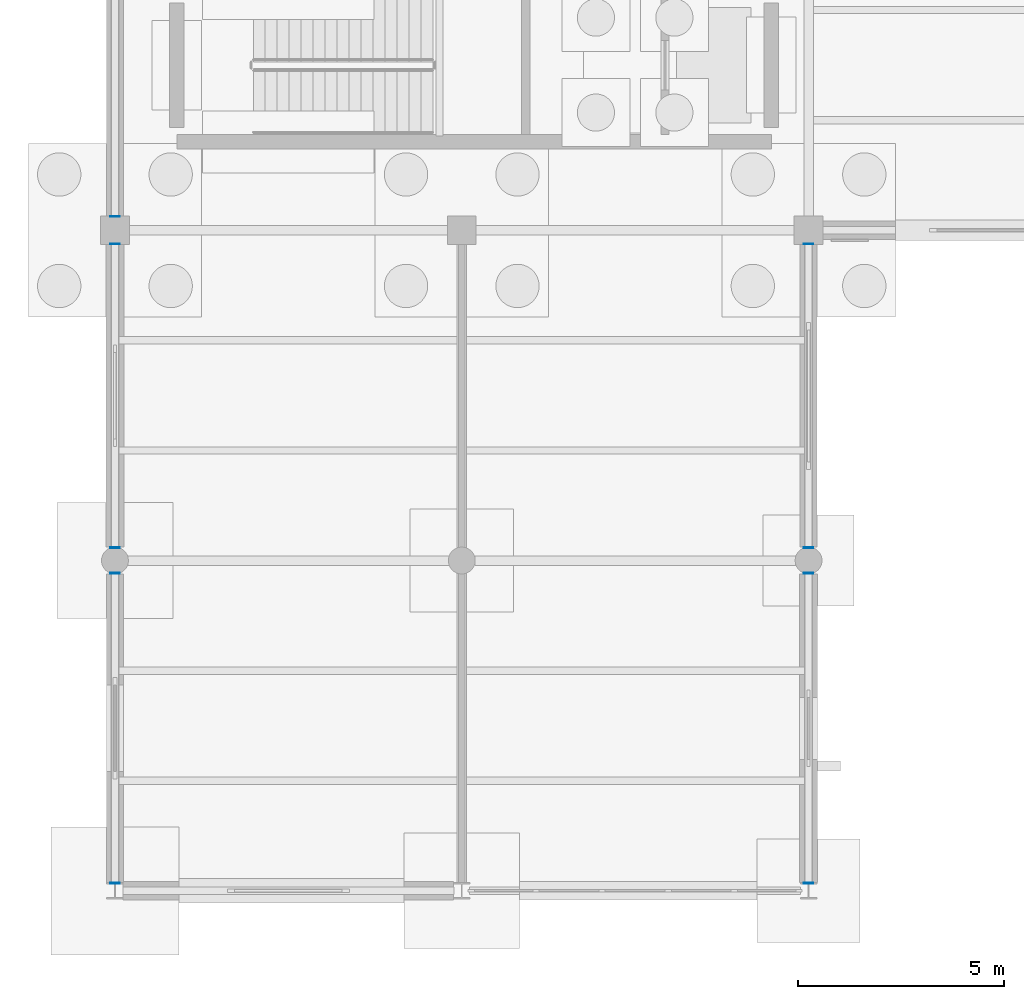
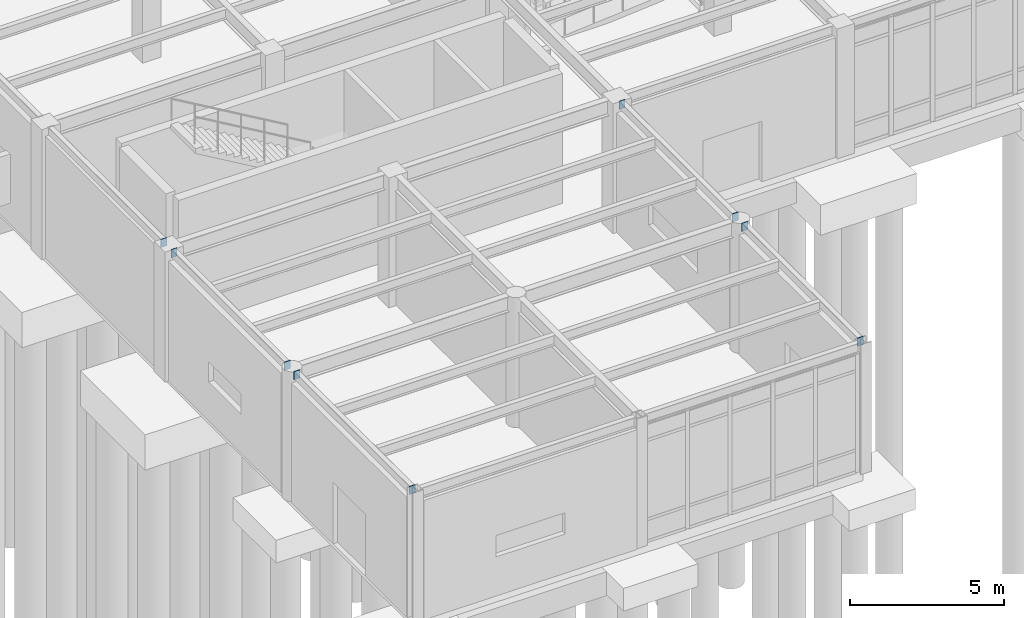
# One storey, part 89 of 138: 9 discrete accessories.
"""IFC4 building model written with IfcOpenShell, lengths in metres."""

from ifc_helpers import new_model, si_unit, direction, frame, origin, origin_2d, place, context, subcontext, project, spatial, rectangle, extrude, material, layer, layer_set, type_object, element, save


model = new_model("IFC4")

# Units and contexts
model_context = context("Model", 3, precision=1e-05, world=origin(), true_north=direction((0.0, 1.0)))
body_context = subcontext(model_context, "Body", "Model", "MODEL_VIEW")
ifc_project = project(units=[si_unit("LENGTHUNIT", "METRE"), si_unit("AREAUNIT", "SQUARE_METRE"), si_unit("VOLUMEUNIT", "CUBIC_METRE"), si_unit("PLANEANGLEUNIT", "RADIAN"), si_unit("MASSUNIT", "GRAM", prefix="KILO")], contexts=[model_context])

# Site, building, storey
site_placement = place(None, origin())
site = spatial("IfcSite", under=ifc_project, at=site_placement, CompositionType="ELEMENT")
building_placement = place(site_placement, origin())
building = spatial("IfcBuilding", under=site, at=building_placement, Name="Kranzveld Transit Interchange", CompositionType="ELEMENT")
storey_placement = place(building_placement, origin())
storey = spatial("IfcBuildingStorey", under=building, at=storey_placement, Name="L00", CompositionType="ELEMENT", Elevation=0.0)

# Discrete accessories
ifc_material = material(Name="Steel S355JR", Category="steel")
ifc_layer = layer(ifc_material, 0.02001953125)
ifc_layer_set = layer_set([ifc_layer], Name="Steel S355JR")
discrete_accessory_type = type_object("IfcDiscreteAccessoryType", Name="Hollow Section End Cap Bracket 20 S355JR", PredefinedType="BRACKET", material=ifc_layer_set)
for number, where, z_axis, x_axis, name in (
    (1, (0.0, 0.19091796875, 5.0), (0.0, -1.0, 0.0), (1.0, 0.0, 0.0), "Hollow Section End Cap SP-RHS300-1"),
    (2, (0.0, 7.680908203125, 5.0), (0.0, 1.0, 0.0), (-1.0, 0.0, 0.0), "Hollow Section End Cap SP-RHS300-2"),
    (3, (0.0, 8.319091796875, 5.0), (0.0, -1.0, 0.0), (1.0, 0.0, 0.0), "Hollow Section End Cap SP-RHS300-1"),
    (4, (0.0, 15.656005859375, 5.0), (0.0, 1.0, 0.0), (-1.0, 0.0, 0.0), "Hollow Section End Cap SP-RHS300-2"),
    (5, (0.0, 16.343994140625, 5.0), (0.0, -1.0, 0.0), (1.0, 0.0, 0.0), "Hollow Section End Cap SP-RHS300-1"),
    (6, (16.800048828125, 0.19091796875, 5.0), (0.0, -1.0, 0.0), (1.0, 0.0, 0.0), "Hollow Section End Cap SP-RHS300-1"),
    (7, (16.800048828125, 7.680908203125, 5.0), (0.0, 1.0, 0.0), (-1.0, 0.0, 0.0), "Hollow Section End Cap SP-RHS300-2"),
    (8, (16.800048828125, 8.319091796875, 5.0), (0.0, -1.0, 0.0), (1.0, 0.0, 0.0), "Hollow Section End Cap SP-RHS300-1"),
    (9, (16.800048828125, 15.656005859375, 5.0), (0.0, 1.0, 0.0), (-1.0, 0.0, 0.0), "Hollow Section End Cap SP-RHS300-2"),
):
    element("IfcDiscreteAccessory", number, at=place(storey_placement, frame(where, z_axis=z_axis, x_axis=x_axis)), inside=storey, type_object=discrete_accessory_type, Name=name, PredefinedType="BRACKET", context=body_context, shape_type="SweptSolid", body=[
        extrude(rectangle(XDim=0.22412109375, YDim=0.323974609375, at=origin_2d()), origin(), (0.0, 0.0, 1.0), 0.02001953125),
    ])

save(model, "model.ifc")
